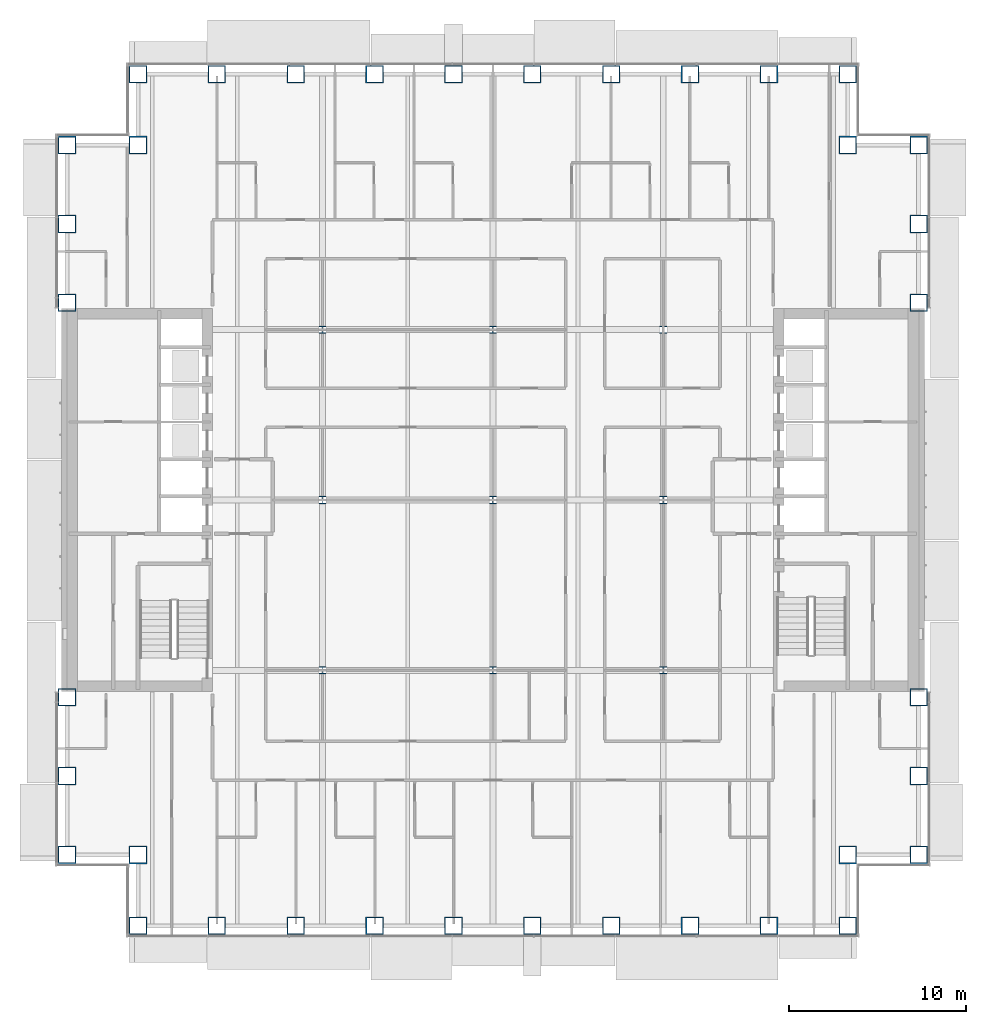
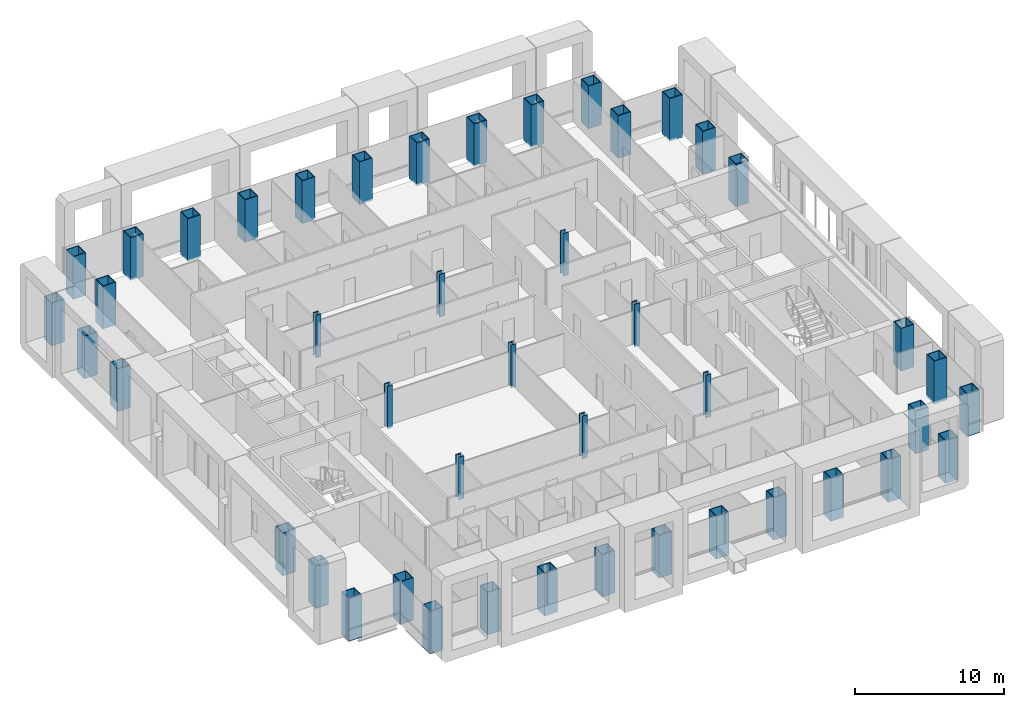
# One storey, part 1 of 25: 45 columns.
"""IFC4 building model written with IfcOpenShell, lengths in metres."""

from ifc_helpers import new_model, si_unit, direction, frame, origin, origin_2d, place, context, subcontext, project, spatial, hollow_rectangle, i_section, extrude, material, material_profile, profile_set, type_object, element, save


model = new_model("IFC4")

# Units and contexts
model_context = context("Model", 3, precision=1e-05, world=origin(), true_north=direction((0.0, 1.0)))
body_context = subcontext(model_context, "Body", "Model", "MODEL_VIEW")
ifc_project = project(units=[si_unit("LENGTHUNIT", "METRE"), si_unit("AREAUNIT", "SQUARE_METRE"), si_unit("VOLUMEUNIT", "CUBIC_METRE"), si_unit("PLANEANGLEUNIT", "RADIAN"), si_unit("MASSUNIT", "GRAM", prefix="KILO")], contexts=[model_context])

# Site, building, storey
site_placement = place(None, origin())
site = spatial("IfcSite", under=ifc_project, at=site_placement, CompositionType="ELEMENT")
building_placement = place(site_placement, origin())
building = spatial("IfcBuilding", under=site, at=building_placement, Name="Cobrizo Arcos Hotel Tower", CompositionType="ELEMENT")
storey_placement = place(building_placement, frame((0.0, 0.0, 53.0)))
storey = spatial("IfcBuildingStorey", under=building, at=storey_placement, Name="L11", CompositionType="ELEMENT", Elevation=53.0)

# Columns
ifc_material_1 = material(Name="Steel ASTM A572 Grade 50", Category="steel")
ifc_material_profile_1 = material_profile(ifc_material_1, hollow_rectangle(XDim=1.0, YDim=1.0, WallThickness=0.06005859375, at=origin_2d()), Name="BOX 1000X1000X60")
ifc_profile_set_1 = profile_set([ifc_material_profile_1], Name="Steel ASTM A572 Grade 50")
column_type_1 = type_object("IfcColumnType", Name="BOX 1000X1000X60 column", PredefinedType="COLUMN", material=ifc_profile_set_1)
for number, where, z_axis, x_axis, name in (
    (1, (-20.0, 24.0, -0.14990234375), (0.0, 0.0, 1.0), (1.0, 0.0, 0.0), "Perimeter column C4, L11, no. 00"),
    (2, (-20.0, -24.0, -0.14990234375), (0.0, 0.0, 1.0), (1.0, 0.0, 0.0), "Perimeter column C4, L11, no. 01"),
    (3, (-15.555908203125, 24.0, -0.14990234375), (0.0, 0.0, 1.0), (1.0, 0.0, 0.0), "Perimeter column C4, L11, no. 02"),
    (4, (-15.555908203125, -24.0, -0.14990234375), (0.0, 0.0, 1.0), (1.0, 0.0, 0.0), "Perimeter column C4, L11, no. 03"),
    (5, (-11.111083984375, 24.0, -0.14990234375), (0.0, 0.0, 1.0), (1.0, 0.0, 0.0), "Perimeter column C4, L11, no. 04"),
    (6, (-11.111083984375, -24.0, -0.14990234375), (0.0, 0.0, 1.0), (1.0, 0.0, 0.0), "Perimeter column C4, L11, no. 05"),
    (7, (-6.6669921875, 24.0, -0.14990234375), (0.0, 0.0, 1.0), (1.0, 0.0, 0.0), "Perimeter column C4, L11, no. 06"),
    (8, (-6.6669921875, -24.0, -0.14990234375), (0.0, 0.0, 1.0), (1.0, 0.0, 0.0), "Perimeter column C4, L11, no. 07"),
    (9, (-2.221923828125, 24.0, -0.14990234375), (0.0, 0.0, 1.0), (1.0, 0.0, 0.0), "Perimeter column C4, L11, no. 08"),
    (10, (-2.221923828125, -24.0, -0.14990234375), (0.0, 0.0, 1.0), (1.0, 0.0, 0.0), "Perimeter column C4, L11, no. 09"),
    (11, (2.221923828125, 24.0, -0.14990234375), (0.0, 0.0, 1.0), (1.0, 0.0, 0.0), "Perimeter column C4, L11, no. 10"),
    (12, (2.221923828125, -24.0, -0.14990234375), (0.0, 0.0, 1.0), (1.0, 0.0, 0.0), "Perimeter column C4, L11, no. 11"),
    (13, (6.6669921875, 24.0, -0.14990234375), (0.0, 0.0, 1.0), (1.0, 0.0, 0.0), "Perimeter column C4, L11, no. 12"),
    (14, (6.6669921875, -24.0, -0.14990234375), (0.0, 0.0, 1.0), (1.0, 0.0, 0.0), "Perimeter column C4, L11, no. 13"),
    (15, (11.111083984375, 24.0, -0.14990234375), (0.0, 0.0, 1.0), (1.0, 0.0, 0.0), "Perimeter column C4, L11, no. 14"),
    (16, (11.111083984375, -24.0, -0.14990234375), (0.0, 0.0, 1.0), (1.0, 0.0, 0.0), "Perimeter column C4, L11, no. 15"),
    (17, (15.555908203125, 24.0, -0.14990234375), (0.0, 0.0, 1.0), (1.0, 0.0, 0.0), "Perimeter column C4, L11, no. 16"),
    (18, (15.555908203125, -24.0, -0.14990234375), (0.0, 0.0, 1.0), (1.0, 0.0, 0.0), "Perimeter column C4, L11, no. 17"),
    (19, (20.0, 24.0, -0.14990234375), (0.0, 0.0, 1.0), (1.0, 0.0, 0.0), "Perimeter column C4, L11, no. 18"),
    (20, (20.0, -24.0, -0.14990234375), (0.0, 0.0, 1.0), (1.0, 0.0, 0.0), "Perimeter column C4, L11, no. 19"),
    (21, (24.0, -20.0, -0.14990234375), (0.0, 0.0, 1.0), (1.0, 0.0, 0.0), "Perimeter column C4, L11, no. 20"),
    (22, (-24.0, -20.0, -0.14990234375), (0.0, 0.0, 1.0), (1.0, 0.0, 0.0), "Perimeter column C4, L11, no. 21"),
    (23, (24.0, -15.555908203125, -0.14990234375), (0.0, 0.0, 1.0), (1.0, 0.0, 0.0), "Perimeter column C4, L11, no. 22"),
    (24, (-24.0, -15.555908203125, -0.14990234375), (0.0, 0.0, 1.0), (1.0, 0.0, 0.0), "Perimeter column C4, L11, no. 23"),
    (25, (24.0, -11.111083984375, -0.14990234375), (0.0, 0.0, 1.0), (1.0, 0.0, 0.0), "Perimeter column C4, L11, no. 24"),
    (26, (-24.0, -11.111083984375, -0.14990234375), (0.0, 0.0, 1.0), (1.0, 0.0, 0.0), "Perimeter column C4, L11, no. 25"),
    (27, (24.0, 11.111083984375, -0.14990234375), (0.0, 0.0, 1.0), (1.0, 0.0, 0.0), "Perimeter column C4, L11, no. 26"),
    (28, (-24.0, 11.111083984375, -0.14990234375), (0.0, 0.0, 1.0), (1.0, 0.0, 0.0), "Perimeter column C4, L11, no. 27"),
    (29, (24.0, 15.555908203125, -0.14990234375), (0.0, 0.0, 1.0), (1.0, 0.0, 0.0), "Perimeter column C4, L11, no. 28"),
    (30, (-24.0, 15.555908203125, -0.14990234375), (0.0, 0.0, 1.0), (1.0, 0.0, 0.0), "Perimeter column C4, L11, no. 29"),
    (31, (24.0, 20.0, -0.14990234375), (0.0, 0.0, 1.0), (1.0, 0.0, 0.0), "Perimeter column C4, L11, no. 30"),
    (32, (-24.0, 20.0, -0.14990234375), (0.0, 0.0, 1.0), (1.0, 0.0, 0.0), "Perimeter column C4, L11, no. 31"),
    (33, (-20.0, -20.0, -0.14990234375), (0.0, 0.0, 1.0), (1.0, 0.0, 0.0), "Perimeter column C4, L11, no. 32"),
    (34, (-20.0, 20.0, -0.14990234375), (0.0, 0.0, 1.0), (1.0, 0.0, 0.0), "Perimeter column C4, L11, no. 33"),
    (35, (20.0, -20.0, -0.14990234375), (0.0, 0.0, 1.0), (1.0, 0.0, 0.0), "Perimeter column C4, L11, no. 34"),
    (36, (20.0, 20.0, -0.14990234375), (0.0, 0.0, 1.0), (1.0, 0.0, 0.0), "Perimeter column C4, L11, no. 35"),
):
    element("IfcColumn", number, at=place(storey_placement, frame(where, z_axis=z_axis, x_axis=x_axis)), inside=storey, type_object=column_type_1, Name=name, PredefinedType="COLUMN", context=body_context, shape_type="SweptSolid", body=[
        extrude(hollow_rectangle(XDim=1.0, YDim=1.0, WallThickness=0.06005859375, at=origin_2d()), origin(), (0.0, 0.0, 1.0), 3.5),
    ])
ifc_material_2 = material(Name="Steel ASTM A992 Grade 50", Category="steel")
ifc_material_profile_2 = material_profile(ifc_material_2, i_section(OverallWidth=0.408935546875, OverallDepth=0.42431640625, WebThickness=0.03271484375, FlangeThickness=0.052490234375, at=origin_2d()), Name="W14X283")
ifc_profile_set_2 = profile_set([ifc_material_profile_2], Name="Steel ASTM A992 Grade 50")
column_type_2 = type_object("IfcColumnType", Name="W14X283 interior column", PredefinedType="COLUMN", material=ifc_profile_set_2)
for number, where, z_axis, x_axis, name in (
    (37, (-9.60009765625, -9.60009765625, -0.14990234375), (0.0, 0.0, 1.0), (1.0, 0.0, 0.0), "Interior column C5, L11, no. 00"),
    (38, (-9.60009765625, 0.0, -0.14990234375), (0.0, 0.0, 1.0), (1.0, 0.0, 0.0), "Interior column C5, L11, no. 01"),
    (39, (-9.60009765625, 9.60009765625, -0.14990234375), (0.0, 0.0, 1.0), (1.0, 0.0, 0.0), "Interior column C5, L11, no. 02"),
    (40, (0.0, -9.60009765625, -0.14990234375), (0.0, 0.0, 1.0), (1.0, 0.0, 0.0), "Interior column C5, L11, no. 03"),
    (41, (0.0, 0.0, -0.14990234375), (0.0, 0.0, 1.0), (1.0, 0.0, 0.0), "Interior column C5, L11, no. 04"),
    (42, (0.0, 9.60009765625, -0.14990234375), (0.0, 0.0, 1.0), (1.0, 0.0, 0.0), "Interior column C5, L11, no. 05"),
    (43, (9.60009765625, -9.60009765625, -0.14990234375), (0.0, 0.0, 1.0), (1.0, 0.0, 0.0), "Interior column C5, L11, no. 06"),
    (44, (9.60009765625, 0.0, -0.14990234375), (0.0, 0.0, 1.0), (1.0, 0.0, 0.0), "Interior column C5, L11, no. 07"),
    (45, (9.60009765625, 9.60009765625, -0.14990234375), (0.0, 0.0, 1.0), (1.0, 0.0, 0.0), "Interior column C5, L11, no. 08"),
):
    element("IfcColumn", number, at=place(storey_placement, frame(where, z_axis=z_axis, x_axis=x_axis)), inside=storey, type_object=column_type_2, Name=name, PredefinedType="COLUMN", context=body_context, shape_type="SweptSolid", body=[
        extrude(i_section(OverallWidth=0.408935546875, OverallDepth=0.42431640625, WebThickness=0.03271484375, FlangeThickness=0.052490234375, at=origin_2d()), origin(), (0.0, 0.0, 1.0), 3.5),
    ])

save(model, "model.ifc")
